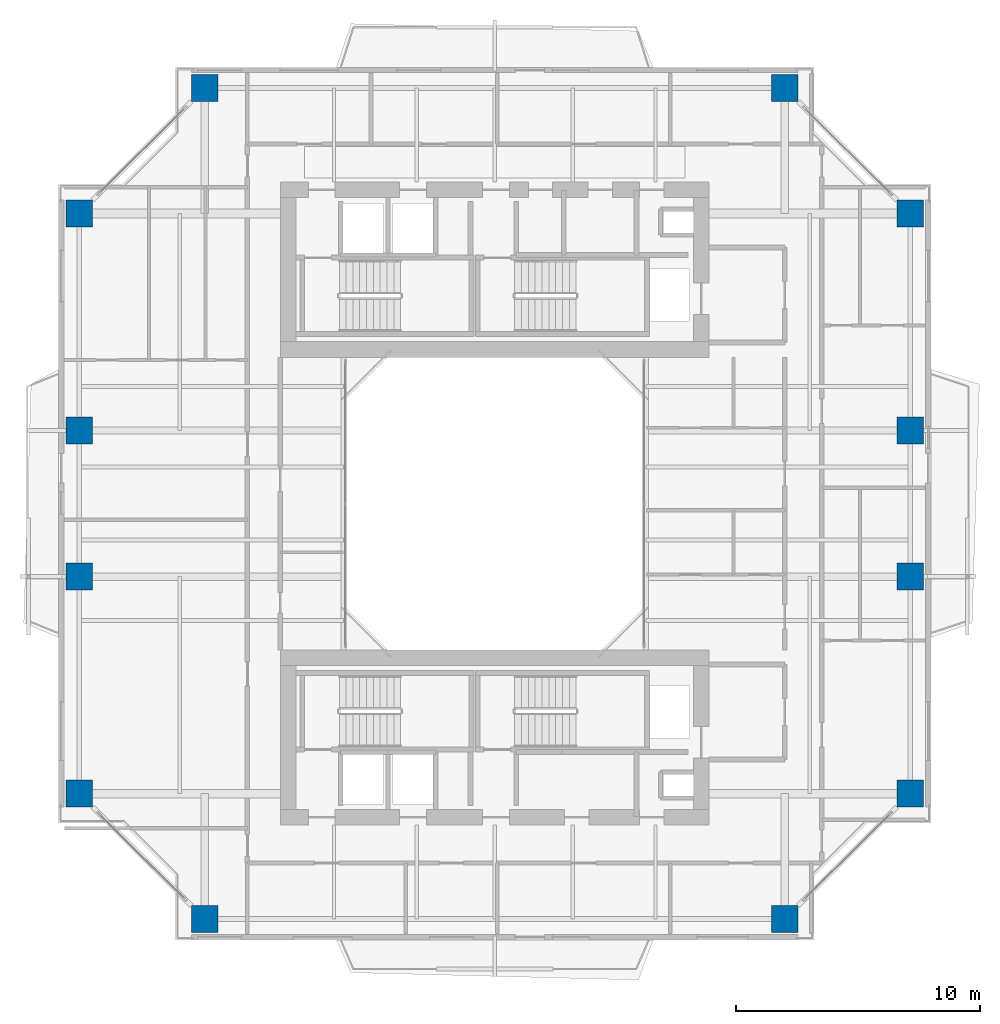
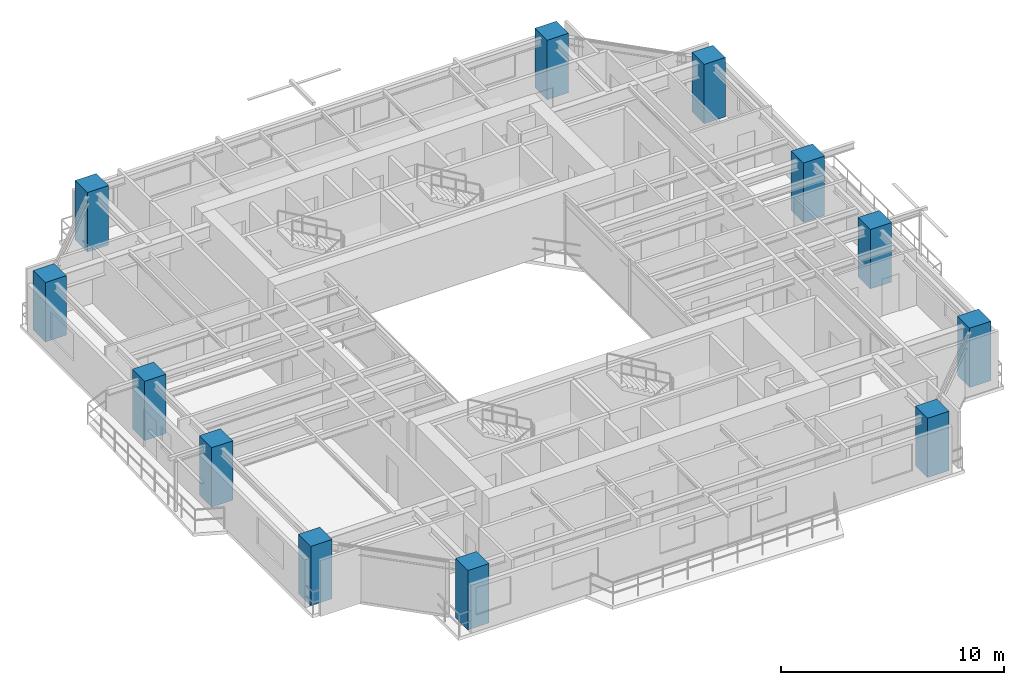
# One storey, part 1 of 17: 12 columns.
"""IFC4 building model written with IfcOpenShell, lengths in metres."""

from ifc_helpers import new_model, si_unit, direction, frame, origin, origin_2d, place, context, subcontext, project, spatial, rectangle, extrude, source, transform, mapped, material, material_profile, profile_set, type_object, element, save


model = new_model("IFC4")

# Units and contexts
model_context = context("Model", 3, precision=1e-05, world=origin(), true_north=direction((0.0, 1.0)))
body_context = subcontext(model_context, "Body", "Model", "MODEL_VIEW")
ifc_project = project(units=[si_unit("LENGTHUNIT", "METRE"), si_unit("AREAUNIT", "SQUARE_METRE"), si_unit("VOLUMEUNIT", "CUBIC_METRE"), si_unit("PLANEANGLEUNIT", "RADIAN"), si_unit("MASSUNIT", "GRAM", prefix="KILO"), si_unit("THERMODYNAMICTEMPERATUREUNIT", "KELVIN"), si_unit("POWERUNIT", "WATT")], contexts=[model_context])

# Site, building, storey
site_placement = place(None, origin())
site = spatial("IfcSite", under=ifc_project, at=site_placement, CompositionType="ELEMENT")
building_placement = place(site_placement, origin())
building = spatial("IfcBuilding", under=site, at=building_placement, Name="Qiaomeng Ring Towers", CompositionType="ELEMENT")
storey_placement = place(building_placement, frame((0.0, 0.0, 116.5)))
storey = spatial("IfcBuildingStorey", under=building, at=storey_placement, Name="L33", CompositionType="ELEMENT", Elevation=116.5)

# Columns
ifc_material = material(Name="Concrete C55", Category="concrete")
ifc_material_profile = material_profile(ifc_material, rectangle(XDim=1.10009765625, YDim=1.10009765625, at=origin_2d()), Name="RC COL 1100x1100")
ifc_profile_set = profile_set([ifc_material_profile], Name="Concrete C55")
column_type = type_object("IfcColumnType", Name="STR-COL-1100-C55", PredefinedType="COLUMN", material=ifc_profile_set)
shared_shape = source(origin(), body_context, "Body", "SweptSolid", [
    extrude(rectangle(XDim=1.10009765625, YDim=1.10009765625, at=origin_2d()), origin(), (0.0, 0.0, 1.0), 3.25),
])
for number, where, z_axis, x_axis, name in (
    (1, (7.10009765625, 5.949951171875, 0.0), (0.0, 0.0, 1.0), (1.0, 0.0, 0.0), "L33 column STR-COL-L33-T1-S1"),
    (2, (30.89990234375, 5.949951171875, 0.0), (0.0, 0.0, 1.0), (1.0, 0.0, 0.0), "L33 column STR-COL-L33-T1-S2"),
    (3, (36.050048828125, 11.10009765625, 0.0), (0.0, 0.0, 1.0), (1.0, 0.0, 0.0), "L33 column STR-COL-L33-T1-E1"),
    (4, (36.050048828125, 20.0, 0.0), (0.0, 0.0, 1.0), (1.0, 0.0, 0.0), "L33 column STR-COL-L33-T1-E2"),
    (5, (36.050048828125, 26.0, 0.0), (0.0, 0.0, 1.0), (1.0, 0.0, 0.0), "L33 column STR-COL-L33-T1-E3"),
    (6, (36.050048828125, 34.89990234375, 0.0), (0.0, 0.0, 1.0), (1.0, 0.0, 0.0), "L33 column STR-COL-L33-T1-E4"),
    (7, (30.89990234375, 40.050048828125, 0.0), (0.0, 0.0, 1.0), (1.0, 0.0, 0.0), "L33 column STR-COL-L33-T1-N2"),
    (8, (7.10009765625, 40.050048828125, 0.0), (0.0, 0.0, 1.0), (1.0, 0.0, 0.0), "L33 column STR-COL-L33-T1-N1"),
    (9, (1.949951171875, 34.89990234375, 0.0), (0.0, 0.0, 1.0), (1.0, 0.0, 0.0), "L33 column STR-COL-L33-T1-W4"),
    (10, (1.949951171875, 26.0, 0.0), (0.0, 0.0, 1.0), (1.0, 0.0, 0.0), "L33 column STR-COL-L33-T1-W3"),
    (11, (1.949951171875, 20.0, 0.0), (0.0, 0.0, 1.0), (1.0, 0.0, 0.0), "L33 column STR-COL-L33-T1-W2"),
    (12, (1.949951171875, 11.10009765625, 0.0), (0.0, 0.0, 1.0), (1.0, 0.0, 0.0), "L33 column STR-COL-L33-T1-W1"),
):
    element("IfcColumn", number, at=place(storey_placement, frame(where, z_axis=z_axis, x_axis=x_axis)), inside=storey, type_object=column_type, Name=name, PredefinedType="COLUMN", context=body_context, shape_type="MappedRepresentation", body=[
        mapped(shared_shape, transform((0.0, 0.0, 0.0), x_axis=(1.0, 0.0, 0.0), y_axis=(0.0, 1.0, 0.0), z_axis=(0.0, 0.0, 1.0), scale=1.0)),
    ])

save(model, "model.ifc")
